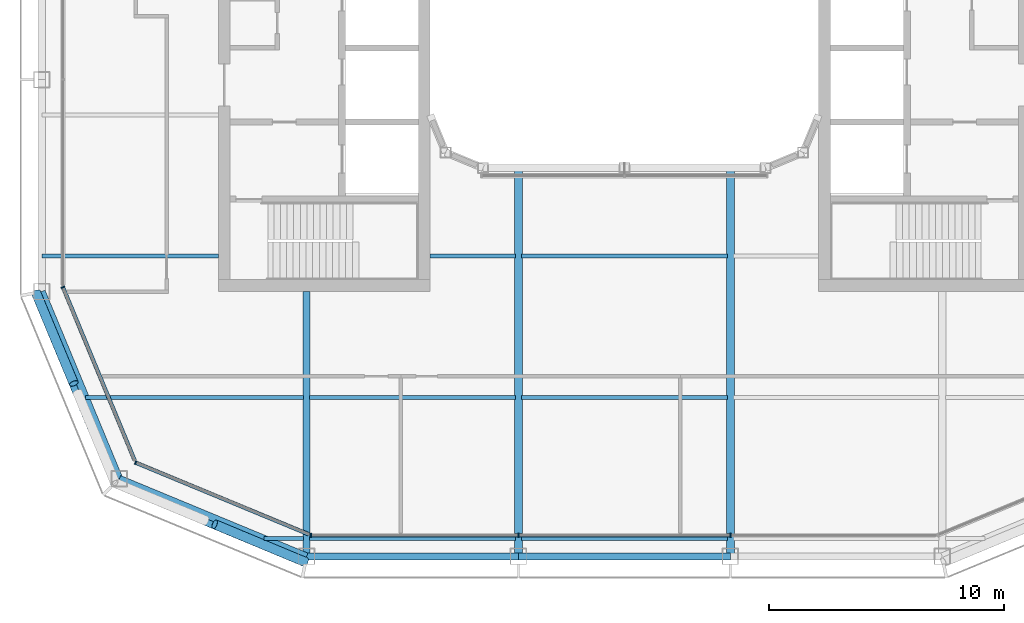
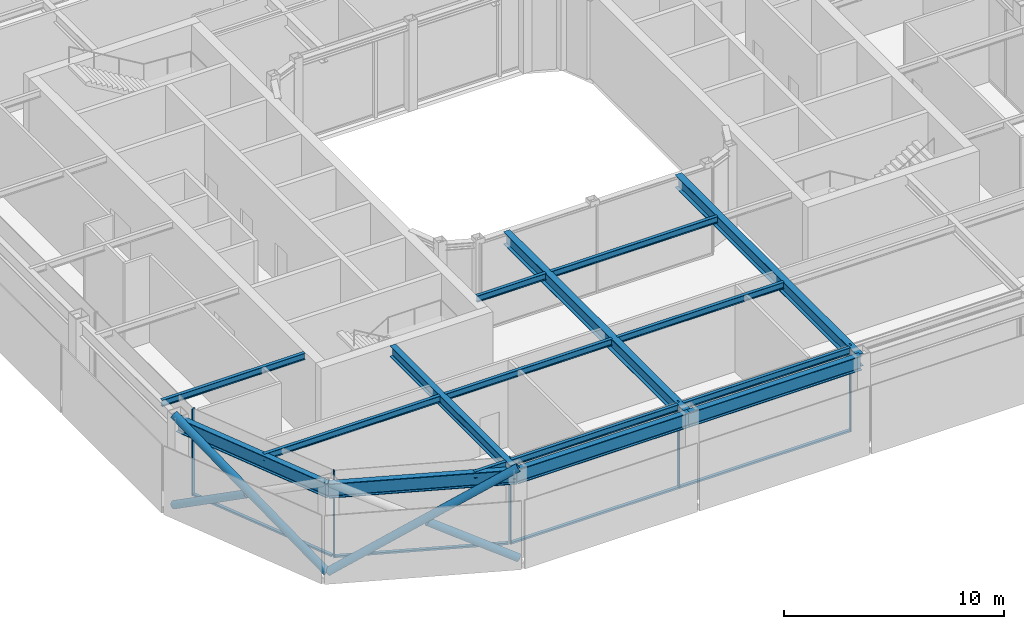
# One storey, part 3 of 17: 16 beams, 13 members, 3 elements without a shape of their own.
"""IFC4 building model written with IfcOpenShell, lengths in metres."""

import ifcopenshell
import ifcopenshell.guid

model = None  # the IFC model being written
_history = None  # IfcOwnerHistory: only IFC2X3 demands one
_inside = {}  # id of a spatial element -> (the spatial element, [elements in it])
_under = {}  # id of a project, library or spatial element -> (it, [spatial elements below it])
_declared = {}  # id of a project -> (the project, [libraries it declares])
_typed = {}  # id of a type object -> (the type object, [elements of that type])
_made_of = {}  # id of a material, layer set ... -> (it, [elements and type objects made of it])


def new_model(schema):
    """Start an empty IFC model of exactly this schema.

    Asked for "IFC4X3", IfcOpenShell would pick the latest addendum, in which some entities
    have other attributes; the version numbers below select the first issue.
    IFC2X3 requires an IfcOwnerHistory on every rooted entity: one is made here for all.
    """
    global model, _history
    if schema == "IFC4X3":
        model = ifcopenshell.file(schema_version=(4, 3, 0, 0))
    else:
        model = ifcopenshell.file(schema=schema)
    _inside.clear()
    _under.clear()
    _declared.clear()
    _typed.clear()
    _made_of.clear()
    _history = None
    if model.schema == "IFC2X3":
        org = make("IfcOrganization", Name="unknown")
        user = make(
            "IfcPersonAndOrganization",
            ThePerson=make("IfcPerson", FamilyName="unknown"),
            TheOrganization=org,
        )
        app = make(
            "IfcApplication",
            ApplicationDeveloper=org,
            Version="unknown",
            ApplicationFullName="unknown",
            ApplicationIdentifier="unknown",
        )
        _history = make(
            "IfcOwnerHistory",
            OwningUser=user,
            OwningApplication=app,
            ChangeAction="ADDED",
            CreationDate=0,
        )
    return model


def make(cls, **values):
    """One entity of the class cls with the attributes given. An attribute that is None is left unset."""
    return model.create_entity(
        cls, **{name: value for name, value in values.items() if value is not None}
    )


def rooted(cls, **values):
    """An entity with a GlobalId (a new one), such as an element, a storey or a relation."""
    return make(cls, GlobalId=ifcopenshell.guid.new(), OwnerHistory=_history, **values)


def si_unit(unit_type, name, prefix=None):
    """IfcSIUnit, for example si_unit("LENGTHUNIT", "METRE", prefix="MILLI")."""
    return make("IfcSIUnit", UnitType=unit_type, Prefix=prefix, Name=name)


def assignment(units):
    """IfcUnitAssignment: the units of a project."""
    return None if units is None else make("IfcUnitAssignment", Units=units)


def point(xyz):
    """IfcCartesianPoint."""
    return None if xyz is None else make("IfcCartesianPoint", Coordinates=xyz)


def direction(xyz):
    """IfcDirection."""
    return None if xyz is None else make("IfcDirection", DirectionRatios=xyz)


def frame(location, z_axis=None, x_axis=None):
    """IfcAxis2Placement3D, a coordinate frame: its origin and axes. An axis left out is left unset."""
    return make(
        "IfcAxis2Placement3D",
        Location=point(location),
        Axis=direction(z_axis),
        RefDirection=direction(x_axis),
    )


def frame_2d(location, x_axis=None):
    """IfcAxis2Placement2D, a coordinate frame in the plane: its origin and x axis."""
    return make(
        "IfcAxis2Placement2D", Location=point(location), RefDirection=direction(x_axis)
    )


def origin():
    """The frame at (0, 0, 0) with its axes left unset."""
    return frame((0.0, 0.0, 0.0))


def origin_2d():
    """The frame at (0, 0) in the plane with its x axis left unset."""
    return frame_2d((0.0, 0.0))


def place(relative_to, where):
    """IfcLocalPlacement: puts the frame where relative to a parent placement (None: the world)."""
    return make(
        "IfcLocalPlacement", PlacementRelTo=relative_to, RelativePlacement=where
    )


def context(
    kind, dimensions, precision=None, world=None, true_north=None, identifier=None
):
    """IfcGeometricRepresentationContext, for example the 3D "Model" context."""
    return make(
        "IfcGeometricRepresentationContext",
        ContextIdentifier=identifier,
        ContextType=kind,
        CoordinateSpaceDimension=dimensions,
        Precision=precision,
        WorldCoordinateSystem=world,
        TrueNorth=true_north,
    )


def subcontext(parent, identifier, kind, view, scale=None):
    """IfcGeometricRepresentationSubContext, for example "Body" below "Model"."""
    return make(
        "IfcGeometricRepresentationSubContext",
        ContextIdentifier=identifier,
        ContextType=kind,
        ParentContext=parent,
        TargetScale=scale,
        TargetView=view,
    )


def project(units=None, contexts=None):
    """IfcProject with its units and contexts."""
    return rooted(
        "IfcProject",
        Name="project",
        RepresentationContexts=contexts,
        UnitsInContext=assignment(units),
    )


def spatial(cls, under=None, at=None, **own):
    """A site, building, storey or space (cls), placed at a placement, below another one or the project."""
    s = rooted(cls, ObjectPlacement=at, **own)
    if under is not None:
        _under.setdefault(under.id(), (under, []))[1].append(s)
    return s


def profile(cls, at=None, kind="AREA", **sizes):
    """A parametric profile (cls). Its sizes go by their IFC names, for example OverallWidth=200.0."""
    return make(cls, ProfileType=kind, Position=at, **sizes)


def rectangle(**sizes):
    """IfcRectangleProfileDef."""
    return profile("IfcRectangleProfileDef", **sizes)


def hollow_circle(**sizes):
    """IfcCircleHollowProfileDef."""
    return profile("IfcCircleHollowProfileDef", **sizes)


def i_section(**sizes):
    """IfcIShapeProfileDef."""
    return profile("IfcIShapeProfileDef", **sizes)


def extrude(swept, where, along, depth):
    """IfcExtrudedAreaSolid: the profile swept, set in the frame where, extruded along a direction by depth."""
    return make(
        "IfcExtrudedAreaSolid",
        SweptArea=swept,
        Position=where,
        ExtrudedDirection=direction(along),
        Depth=depth,
    )


def shape(context_of_items, identifier, shape_type, items):
    """IfcShapeRepresentation: the items that make up one representation, for example the "Body"."""
    return make(
        "IfcShapeRepresentation",
        ContextOfItems=context_of_items,
        RepresentationIdentifier=identifier,
        RepresentationType=shape_type,
        Items=items,
    )


def material(Name=None, Category=None):
    """IfcMaterial."""
    return make("IfcMaterial", Name=Name, Category=Category)


def layer(
    of_material, thickness, ventilated=None, Name=None, Category=None, Priority=None
):
    """IfcMaterialLayer: one layer of a wall or slab, of a material (None: an air gap)."""
    return make(
        "IfcMaterialLayer",
        Material=of_material,
        LayerThickness=thickness,
        IsVentilated=ventilated,
        Name=Name,
        Category=Category,
        Priority=Priority,
    )


def layer_set(layers, Name=None):
    """IfcMaterialLayerSet."""
    return make("IfcMaterialLayerSet", MaterialLayers=layers, LayerSetName=Name)


def material_profile(
    of_material, cross_section, Name=None, Category=None, Priority=None
):
    """IfcMaterialProfile: a cross section and its material."""
    return make(
        "IfcMaterialProfile",
        Name=Name,
        Material=of_material,
        Profile=cross_section,
        Priority=Priority,
        Category=Category,
    )


def profile_set(profiles, Name=None, composite=None):
    """IfcMaterialProfileSet."""
    return make(
        "IfcMaterialProfileSet",
        Name=Name,
        MaterialProfiles=profiles,
        CompositeProfile=composite,
    )


def made_of(thing, what):
    """Note that an element or type object is made of a material, layer set ...; save() writes the relation."""
    if what is not None:
        _made_of.setdefault(what.id(), (what, []))[1].append(thing)
    return thing


def type_object(cls, material=None, **own):
    """A type object (cls), such as IfcWallType, which elements share."""
    return made_of(rooted(cls, **own), material)


def element(
    cls,
    number,
    at=None,
    inside=None,
    cuts=None,
    type_object=None,
    material=None,
    context=None,
    identifier="Body",
    shape_type=None,
    held_by="IfcProductDefinitionShape",
    body=None,
    shapes=None,
    **own,
):
    """One element of the class cls, such as IfcWall. Its Tag is "e" and its number.

    at: its placement. inside: the storey or other place that contains it. cuts: it is an
    opening in that element (IfcRelVoidsElement). A single representation is given by context,
    identifier, shape_type and body (its items); several are given by shapes. held_by: the class
    of the entity that holds the representations. save() writes the other relations.
    """
    e = rooted(cls, Tag="e%d" % number, ObjectPlacement=at, **own)
    if body is not None:
        shapes = [shape(context, identifier, shape_type, body)]
    if shapes is not None:
        e.Representation = make(held_by, Representations=shapes)
    if inside is not None:
        _inside.setdefault(inside.id(), (inside, []))[1].append(e)
    if cuts is not None:
        rooted(
            "IfcRelVoidsElement", RelatingBuildingElement=cuts, RelatedOpeningElement=e
        )
    if type_object is not None:
        _typed.setdefault(type_object.id(), (type_object, []))[1].append(e)
    return made_of(e, material)


def aggregate(whole, parts):
    """IfcRelAggregates: a whole, such as a stair, and the parts it consists of."""
    return rooted("IfcRelAggregates", RelatingObject=whole, RelatedObjects=parts)


def save(model, path):
    """Write the relations noted so far, then the file.

    IfcRelAggregates (storeys below a building ...), IfcRelContainedInSpatialStructure (elements
    in a storey), IfcRelDefinesByType, IfcRelAssociatesMaterial and IfcRelDeclares: one each for
    every whole, place, type object, material and project.
    """
    for whole, parts in _under.values():
        aggregate(whole, parts)
    for where, things in _inside.values():
        rooted(
            "IfcRelContainedInSpatialStructure",
            RelatedElements=things,
            RelatingStructure=where,
        )
    for kind, things in _typed.values():
        rooted("IfcRelDefinesByType", RelatedObjects=things, RelatingType=kind)
    for what, things in _made_of.values():
        rooted("IfcRelAssociatesMaterial", RelatedObjects=things, RelatingMaterial=what)
    for by, libraries in _declared.values():
        rooted("IfcRelDeclares", RelatingContext=by, RelatedDefinitions=libraries)
    model.write(path)


model = new_model("IFC4")

# Units and contexts
model_context = context("Model", 3, precision=1e-05, world=origin(), true_north=direction((0.0, 1.0)))
body_context = subcontext(model_context, "Body", "Model", "MODEL_VIEW")
ifc_project = project(units=[si_unit("LENGTHUNIT", "METRE"), si_unit("AREAUNIT", "SQUARE_METRE"), si_unit("VOLUMEUNIT", "CUBIC_METRE"), si_unit("PLANEANGLEUNIT", "RADIAN"), si_unit("MASSUNIT", "GRAM", prefix="KILO")], contexts=[model_context])

# Site, building, storey
site_placement = place(None, origin())
site = spatial("IfcSite", under=ifc_project, at=site_placement, CompositionType="ELEMENT")
building_placement = place(site_placement, origin())
building = spatial("IfcBuilding", under=site, at=building_placement, Name="Siwar Civic Tower", CompositionType="ELEMENT")
storey_placement = place(building_placement, frame((0.0, 0.0, 348.199951171875)))
storey = spatial("IfcBuildingStorey", under=building, at=storey_placement, Name="L75", CompositionType="ELEMENT", Elevation=348.199951171875)

# Curtain wall, members
ifc_material_1 = material(Name="Aluminium and glass", Category="aluminium")
ifc_layer_1 = layer(ifc_material_1, 0.159912109375)
ifc_layer_set_1 = layer_set([ifc_layer_1], Name="Aluminium and glass")
curtain_wall_type_1 = type_object("IfcCurtainWallType", Name="ENV-CW-D", PredefinedType="NOTDEFINED", material=ifc_layer_set_1)
curtain_wall_1_placement = place(storey_placement, origin())
curtain_wall_1 = element("IfcCurtainWall", 1, at=curtain_wall_1_placement, inside=storey, type_object=curtain_wall_type_1, Name="Curtain wall D S", PredefinedType="NOTDEFINED")
ifc_material_2 = material(Name="Aluminium 6063-T6", Category="aluminium")
ifc_material_profile_1 = material_profile(ifc_material_2, rectangle(XDim=0.159912109375, YDim=0.06005859375, at=origin_2d()), Name="AL 160x60")
ifc_profile_set_1 = profile_set([ifc_material_profile_1], Name="Aluminium 6063-T6")
member_type_1 = type_object("IfcMemberType", Name="ENV-MULLION-D", PredefinedType="MULLION", material=ifc_profile_set_1)
member_1_placement = place(storey_placement, frame((-13.321044921875, -23.85009765625, 0.0), z_axis=(0.0, 0.0, 1.0), x_axis=(0.0, 1.0, 0.0)))
member_1 = element("IfcMember", 2, at=member_1_placement, type_object=member_type_1, Name="Mullion D S 1", PredefinedType="MULLION", context=body_context, shape_type="SweptSolid", body=[
    extrude(rectangle(XDim=0.159912109375, YDim=0.06005859375, at=origin_2d()), origin(), (0.0, 0.0, 1.0), 4.800048828125),
])
member_2_placement = place(storey_placement, frame((-4.5, -23.85009765625, 0.0), z_axis=(0.0, 0.0, 1.0), x_axis=(0.0, 1.0, 0.0)))
member_2 = element("IfcMember", 3, at=member_2_placement, type_object=member_type_1, Name="Mullion D S 2", PredefinedType="MULLION", context=body_context, shape_type="SweptSolid", body=[
    extrude(rectangle(XDim=0.159912109375, YDim=0.06005859375, at=origin_2d()), origin(), (0.0, 0.0, 1.0), 4.800048828125),
])
member_3_placement = place(storey_placement, frame((4.5, -23.85009765625, 0.0), z_axis=(0.0, 0.0, 1.0), x_axis=(0.0, 1.0, 0.0)))
member_3 = element("IfcMember", 4, at=member_3_placement, type_object=member_type_1, Name="Mullion D S 3", PredefinedType="MULLION", context=body_context, shape_type="SweptSolid", body=[
    extrude(rectangle(XDim=0.159912109375, YDim=0.06005859375, at=origin_2d()), origin(), (0.0, 0.0, 1.0), 4.800048828125),
])

# Curtain wall, member
ifc_material_3 = material(Name="Aluminium clad insulated panel", Category="aluminium")
ifc_layer_2 = layer(ifc_material_3, 0.159912109375)
ifc_layer_set_2 = layer_set([ifc_layer_2], Name="Aluminium clad insulated panel")
curtain_wall_type_2 = type_object("IfcCurtainWallType", Name="ENV-CW-DX", PredefinedType="NOTDEFINED", material=ifc_layer_set_2)
curtain_wall_2_placement = place(storey_placement, origin())
curtain_wall_2 = element("IfcCurtainWall", 5, at=curtain_wall_2_placement, inside=storey, type_object=curtain_wall_type_2, Name="Curtain wall D SW1", PredefinedType="NOTDEFINED")
member_4_placement = place(storey_placement, frame((-23.85009765625, -13.321044921875, 0.0), z_axis=(0.0, 0.0, 1.0), x_axis=(0.923879532511, 0.382683432365, 0.0)))
member_4 = element("IfcMember", 6, at=member_4_placement, type_object=member_type_1, Name="Mullion D SW1 1", PredefinedType="MULLION", context=body_context, shape_type="SweptSolid", body=[
    extrude(rectangle(XDim=0.159912109375, YDim=0.06005859375, at=origin_2d()), origin(), (0.0, 0.0, 1.0), 4.800048828125),
])

curtain_wall_3_placement = place(storey_placement, origin())
curtain_wall_3 = element("IfcCurtainWall", 7, at=curtain_wall_3_placement, inside=storey, type_object=curtain_wall_type_2, Name="Curtain wall D SW2", PredefinedType="NOTDEFINED")
member_5_placement = place(storey_placement, frame((-20.76611328125, -20.76611328125, 0.0), z_axis=(0.0, 0.0, 1.0), x_axis=(0.382683432365, 0.923879532511, 0.0)))
member_5 = element("IfcMember", 8, at=member_5_placement, type_object=member_type_1, Name="Mullion D SW2 1", PredefinedType="MULLION", context=body_context, shape_type="SweptSolid", body=[
    extrude(rectangle(XDim=0.159912109375, YDim=0.06005859375, at=origin_2d()), origin(), (0.0, 0.0, 1.0), 4.800048828125),
])

# Member
ifc_material_4 = material(Name="Aluminium 6063-T6", Category="aluminium")
ifc_material_profile_2 = material_profile(ifc_material_4, rectangle(XDim=0.159912109375, YDim=0.10009765625, at=origin_2d()), Name="AL 160x100")
ifc_profile_set_2 = profile_set([ifc_material_profile_2], Name="Aluminium 6063-T6")
member_type_2 = type_object("IfcMemberType", Name="ENV-TRANSOM-D", PredefinedType="USERDEFINED", material=ifc_profile_set_2)
member_6_placement = place(storey_placement, frame((-13.291015625, -23.85009765625, 0.050048828125), z_axis=(1.0, 0.0, 0.0), x_axis=(0.0, 1.0, 0.0)))
member_6 = element("IfcMember", 9, at=member_6_placement, type_object=member_type_2, Name="Transom D S 1", ObjectType="TRANSOM", PredefinedType="USERDEFINED", context=body_context, shape_type="SweptSolid", body=[
    extrude(rectangle(XDim=0.159912109375, YDim=0.10009765625, at=origin_2d()), origin(), (0.0, 0.0, 1.0), 8.760986328125),
])

member_7_placement = place(storey_placement, frame((-4.469970703125, -23.85009765625, 0.050048828125), z_axis=(1.0, 0.0, 0.0), x_axis=(0.0, 1.0, 0.0)))
member_7 = element("IfcMember", 10, at=member_7_placement, type_object=member_type_2, Name="Transom D S 2", ObjectType="TRANSOM", PredefinedType="USERDEFINED", context=body_context, shape_type="SweptSolid", body=[
    extrude(rectangle(XDim=0.159912109375, YDim=0.10009765625, at=origin_2d()), origin(), (0.0, 0.0, 1.0), 8.93994140625),
])

aggregate(curtain_wall_1, [member_1, member_2, member_3, member_6, member_7])

member_8_placement = place(storey_placement, frame((-23.838623046875, -13.3486328125, 0.050048828125), z_axis=(0.382699790424, -0.923872756612, 0.0), x_axis=(0.923872756612, 0.382699790424, 0.0)))
member_8 = element("IfcMember", 11, at=member_8_placement, type_object=member_type_2, Name="Transom D SW1 1", ObjectType="TRANSOM", PredefinedType="USERDEFINED", context=body_context, shape_type="SweptSolid", body=[
    extrude(rectangle(XDim=0.159912109375, YDim=0.10009765625, at=origin_2d()), origin(), (0.0, 0.0, 1.0), 7.930908203125),
])

aggregate(curtain_wall_2, [member_4, member_8])

member_9_placement = place(storey_placement, frame((-20.738525390625, -20.777587890625, 0.050048828125), z_axis=(0.923883640343, -0.382673515031, 0.0), x_axis=(0.382673515031, 0.923883640343, 0.0)))
member_9 = element("IfcMember", 12, at=member_9_placement, type_object=member_type_2, Name="Transom D SW2 1", ObjectType="TRANSOM", PredefinedType="USERDEFINED", context=body_context, shape_type="SweptSolid", body=[
    extrude(rectangle(XDim=0.159912109375, YDim=0.10009765625, at=origin_2d()), origin(), (0.0, 0.0, 1.0), 7.930908203125),
])

aggregate(curtain_wall_3, [member_5, member_9])

# Members
ifc_material_5 = material(Name="Steel S355", Category="steel")
ifc_material_profile_3 = material_profile(ifc_material_5, hollow_circle(Radius=0.203125, WallThickness=0.01611328125, at=origin_2d()), Name="CHS406.4x16")
ifc_profile_set_3 = profile_set([ifc_material_profile_3], Name="Steel S355")
member_type_3 = type_object("IfcMemberType", Name="STR-BR-CHS406.4x16", PredefinedType="BRACE", material=ifc_profile_set_3)
member_10_placement = place(storey_placement, frame((-21.6318359375, -21.6318359375, 0.0), z_axis=(0.801726811989, -0.333592743807, 0.495933463499), x_axis=(0.384163874976, 0.923264922524, 0.0)))
element("IfcMember", 13, at=member_10_placement, inside=storey, type_object=member_type_3, Name="L75/brc/DSW1-14-0-1", PredefinedType="BRACE", context=body_context, shape_type="SweptSolid", body=[
    extrude(hollow_circle(Radius=0.203125, WallThickness=0.01611328125, at=origin_2d()), origin(), (0.0, 0.0, 1.0), 10.08203125),
])
member_11_placement = place(storey_placement, frame((-13.548828125, -24.9951171875, 0.0), z_axis=(-0.80170559549, 0.333625253508, 0.495945892595), x_axis=(-0.384204453742, -0.923248036946, 0.0)))
element("IfcMember", 14, at=member_11_placement, inside=storey, type_object=member_type_3, Name="L75/brc/DSW1-14-0-2", PredefinedType="BRACE", context=body_context, shape_type="SweptSolid", body=[
    extrude(hollow_circle(Radius=0.203125, WallThickness=0.01611328125, at=origin_2d()), origin(), (0.0, 0.0, 1.0), 4.81005859375),
])
member_12_placement = place(storey_placement, frame((-21.6318359375, -21.6318359375, 0.0), z_axis=(-0.333592743807, 0.801726811989, 0.495933463499), x_axis=(-0.923264922524, -0.384163874976, 0.0)))
element("IfcMember", 15, at=member_12_placement, inside=storey, type_object=member_type_3, Name="L75/brc/DSW1-14-0-0", PredefinedType="BRACE", context=body_context, shape_type="SweptSolid", body=[
    extrude(hollow_circle(Radius=0.203125, WallThickness=0.01611328125, at=origin_2d()), origin(), (0.0, 0.0, 1.0), 10.08203125),
])
member_13_placement = place(storey_placement, frame((-24.9951171875, -13.548828125, 0.0), z_axis=(0.333625253508, -0.80170559549, 0.495945892595), x_axis=(0.923248036946, 0.384204453742, 0.0)))
element("IfcMember", 16, at=member_13_placement, inside=storey, type_object=member_type_3, Name="L75/brc/DSW1-14-0-4", PredefinedType="BRACE", context=body_context, shape_type="SweptSolid", body=[
    extrude(hollow_circle(Radius=0.203125, WallThickness=0.01611328125, at=origin_2d()), origin(), (0.0, 0.0, 1.0), 4.81005859375),
])

# Beams
ifc_material_6 = material(Name="Steel S355", Category="steel")
ifc_material_profile_4 = material_profile(ifc_material_6, i_section(OverallWidth=0.169921875, OverallDepth=0.360107421875, WebThickness=0.008056640625, FlangeThickness=0.0126953125, FilletRadius=0.01806640625, at=origin_2d()), Name="IPE360")
ifc_profile_set_4 = profile_set([ifc_material_profile_4], Name="Steel S355")
beam_type_1 = type_object("IfcBeamType", Name="STR-FB-IPE360", PredefinedType="JOIST", material=ifc_profile_set_4)
beam_1_placement = place(storey_placement, frame((-15.310546875, -24.0, 4.6201171875), z_axis=(1.0, 0.0, 0.0), x_axis=(0.0, 1.0, 0.0)))
element("IfcBeam", 17, at=beam_1_placement, inside=storey, type_object=beam_type_1, Name="L75/bm/F001", PredefinedType="JOIST", context=body_context, shape_type="SweptSolid", body=[
    extrude(i_section(OverallWidth=0.169921875, OverallDepth=0.360107421875, WebThickness=0.008056640625, FlangeThickness=0.0126953125, FilletRadius=0.01806640625, at=origin_2d()), origin(), (0.0, 0.0, 1.0), 1.6806640625),
])
for number, where, z_axis, x_axis, name in (
    (18, (-13.3701171875, -24.0, 4.6201171875), (1.0, 0.0, 0.0), (0.0, 1.0, 0.0), "L75/bm/F002"),
    (19, (-4.3701171875, -24.0, 4.6201171875), (1.0, 0.0, 0.0), (0.0, 1.0, 0.0), "L75/bm/F003"),
):
    element("IfcBeam", number, at=place(storey_placement, frame(where, z_axis=z_axis, x_axis=x_axis)), inside=storey, type_object=beam_type_1, Name=name, PredefinedType="JOIST", context=body_context, shape_type="SweptSolid", body=[
        extrude(i_section(OverallWidth=0.169921875, OverallDepth=0.360107421875, WebThickness=0.008056640625, FlangeThickness=0.0126953125, FilletRadius=0.01806640625, at=origin_2d()), origin(), (0.0, 0.0, 1.0), 8.740234375),
    ])
beam_2_placement = place(storey_placement, frame((-22.885986328125, -18.0, 4.6201171875), z_axis=(1.0, 0.0, 0.0), x_axis=(0.0, 1.0, 0.0)))
element("IfcBeam", 20, at=beam_2_placement, inside=storey, type_object=beam_type_1, Name="L75/bm/F006", PredefinedType="JOIST", context=body_context, shape_type="SweptSolid", body=[
    extrude(i_section(OverallWidth=0.169921875, OverallDepth=0.360107421875, WebThickness=0.008056640625, FlangeThickness=0.0126953125, FilletRadius=0.01806640625, at=origin_2d()), origin(), (0.0, 0.0, 1.0), 9.256103515625),
])
for number, where, z_axis, x_axis, name in (
    (21, (-13.3701171875, -18.0, 4.6201171875), (1.0, 0.0, 0.0), (0.0, 1.0, 0.0), "L75/bm/F007"),
    (22, (-4.3701171875, -18.0, 4.6201171875), (1.0, 0.0, 0.0), (0.0, 1.0, 0.0), "L75/bm/F008"),
):
    element("IfcBeam", number, at=place(storey_placement, frame(where, z_axis=z_axis, x_axis=x_axis)), inside=storey, type_object=beam_type_1, Name=name, PredefinedType="JOIST", context=body_context, shape_type="SweptSolid", body=[
        extrude(i_section(OverallWidth=0.169921875, OverallDepth=0.360107421875, WebThickness=0.008056640625, FlangeThickness=0.0126953125, FilletRadius=0.01806640625, at=origin_2d()), origin(), (0.0, 0.0, 1.0), 8.740234375),
    ])
beam_3_placement = place(storey_placement, frame((-24.75, -12.0, 4.6201171875), z_axis=(1.0, 0.0, 0.0), x_axis=(0.0, 1.0, 0.0)))
element("IfcBeam", 23, at=beam_3_placement, inside=storey, type_object=beam_type_1, Name="L75/bm/F011", PredefinedType="JOIST", context=body_context, shape_type="SweptSolid", body=[
    extrude(i_section(OverallWidth=0.169921875, OverallDepth=0.360107421875, WebThickness=0.008056640625, FlangeThickness=0.0126953125, FilletRadius=0.01806640625, at=origin_2d()), origin(), (0.0, 0.0, 1.0), 7.5),
])
beam_4_placement = place(storey_placement, frame((-8.25, -12.0, 4.6201171875), z_axis=(1.0, 0.0, 0.0), x_axis=(0.0, 1.0, 0.0)))
element("IfcBeam", 24, at=beam_4_placement, inside=storey, type_object=beam_type_1, Name="L75/bm/F012", PredefinedType="JOIST", context=body_context, shape_type="SweptSolid", body=[
    extrude(i_section(OverallWidth=0.169921875, OverallDepth=0.360107421875, WebThickness=0.008056640625, FlangeThickness=0.0126953125, FilletRadius=0.01806640625, at=origin_2d()), origin(), (0.0, 0.0, 1.0), 3.6201171875),
])
beam_5_placement = place(storey_placement, frame((-4.3701171875, -12.0, 4.6201171875), z_axis=(1.0, 0.0, 0.0), x_axis=(0.0, 1.0, 0.0)))
element("IfcBeam", 25, at=beam_5_placement, inside=storey, type_object=beam_type_1, Name="L75/bm/F013", PredefinedType="JOIST", context=body_context, shape_type="SweptSolid", body=[
    extrude(i_section(OverallWidth=0.169921875, OverallDepth=0.360107421875, WebThickness=0.008056640625, FlangeThickness=0.0126953125, FilletRadius=0.01806640625, at=origin_2d()), origin(), (0.0, 0.0, 1.0), 8.740234375),
])
ifc_material_7 = material(Name="Steel S355", Category="steel")
ifc_material_profile_5 = material_profile(ifc_material_7, i_section(OverallWidth=0.300048828125, OverallDepth=0.60009765625, WebThickness=0.015380859375, FlangeThickness=0.030029296875, FilletRadius=0.027099609375, at=origin_2d()), Name="HEB600")
ifc_profile_set_5 = profile_set([ifc_material_profile_5], Name="Steel S355")
beam_type_2 = type_object("IfcBeamType", Name="STR-PG-HEB600", PredefinedType="BEAM", material=ifc_profile_set_5)
beam_6_placement = place(storey_placement, frame((-13.5, -24.75, 4.5), z_axis=(0.0, 1.0, 0.0), x_axis=(-1.0, 0.0, 0.0)))
element("IfcBeam", 26, at=beam_6_placement, inside=storey, type_object=beam_type_2, Name="L75/bm/G01", PredefinedType="BEAM", context=body_context, shape_type="SweptSolid", body=[
    extrude(i_section(OverallWidth=0.300048828125, OverallDepth=0.60009765625, WebThickness=0.015380859375, FlangeThickness=0.030029296875, FilletRadius=0.027099609375, at=origin_2d()), origin(), (0.0, 0.0, 1.0), 11.25),
])
ifc_material_8 = material(Name="Steel S355", Category="steel")
ifc_material_profile_6 = material_profile(ifc_material_8, i_section(OverallWidth=0.340087890625, OverallDepth=0.699951171875, WebThickness=0.013916015625, FlangeThickness=0.030029296875, at=origin_2d()), Name="PG700x340x14x30")
ifc_profile_set_6 = profile_set([ifc_material_profile_6], Name="Steel S355")
beam_type_3 = type_object("IfcBeamType", Name="STR-PG-PG700x340x14x30", PredefinedType="BEAM", material=ifc_profile_set_6)
for number, where, z_axis, x_axis, name in (
    (27, (-4.5, -24.75, 4.449951171875), (0.0, 1.0, 0.0), (-1.0, 0.0, 0.0), "L75/bm/G03"),
    (28, (4.5, -24.75, 4.449951171875), (0.0, 1.0, 0.0), (-1.0, 0.0, 0.0), "L75/bm/G05"),
):
    element("IfcBeam", number, at=place(storey_placement, frame(where, z_axis=z_axis, x_axis=x_axis)), inside=storey, type_object=beam_type_3, Name=name, PredefinedType="BEAM", context=body_context, shape_type="SweptSolid", body=[
        extrude(i_section(OverallWidth=0.340087890625, OverallDepth=0.699951171875, WebThickness=0.013916015625, FlangeThickness=0.030029296875, at=origin_2d()), origin(), (0.0, 0.0, 1.0), 16.5),
    ])
ifc_material_9 = material(Name="Steel S355", Category="steel")
ifc_material_profile_7 = material_profile(ifc_material_9, i_section(OverallWidth=0.300048828125, OverallDepth=0.800048828125, WebThickness=0.017578125, FlangeThickness=0.032958984375, FilletRadius=0.030029296875, at=origin_2d()), Name="HEB800")
ifc_profile_set_7 = profile_set([ifc_material_profile_7], Name="Steel S355")
beam_type_4 = type_object("IfcBeamType", Name="STR-SB-HEB800", PredefinedType="BEAM", material=ifc_profile_set_7)
for number, where, z_axis, x_axis, name in (
    (29, (-13.5, -24.75, 4.400146484375), (1.0, 0.0, 0.0), (0.0, 1.0, 0.0), "L75/bm/SS-0"),
    (30, (-4.5, -24.75, 4.400146484375), (1.0, 0.0, 0.0), (0.0, 1.0, 0.0), "L75/bm/SS-1"),
):
    element("IfcBeam", number, at=place(storey_placement, frame(where, z_axis=z_axis, x_axis=x_axis)), inside=storey, type_object=beam_type_4, Name=name, PredefinedType="BEAM", context=body_context, shape_type="SweptSolid", body=[
        extrude(i_section(OverallWidth=0.300048828125, OverallDepth=0.800048828125, WebThickness=0.017578125, FlangeThickness=0.032958984375, FilletRadius=0.030029296875, at=origin_2d()), origin(), (0.0, 0.0, 1.0), 9.0),
    ])
for number, where, z_axis, x_axis, name in (
    (31, (-24.75, -13.5, 4.400146484375), (0.382699877515, -0.923872720536, 0.0), (0.923872720536, 0.382699877515, 0.0), "L75/bm/SSW1-0"),
    (32, (-21.454833984375, -21.454833984375, 4.400146484375), (0.923872720536, -0.382699877515, 0.0), (0.382699877515, 0.923872720536, 0.0), "L75/bm/SSW2-0"),
):
    element("IfcBeam", number, at=place(storey_placement, frame(where, z_axis=z_axis, x_axis=x_axis)), inside=storey, type_object=beam_type_4, Name=name, PredefinedType="BEAM", context=body_context, shape_type="SweptSolid", body=[
        extrude(i_section(OverallWidth=0.300048828125, OverallDepth=0.800048828125, WebThickness=0.017578125, FlangeThickness=0.032958984375, FilletRadius=0.030029296875, at=origin_2d()), origin(), (0.0, 0.0, 1.0), 8.6103515625),
    ])

save(model, "model.ifc")
